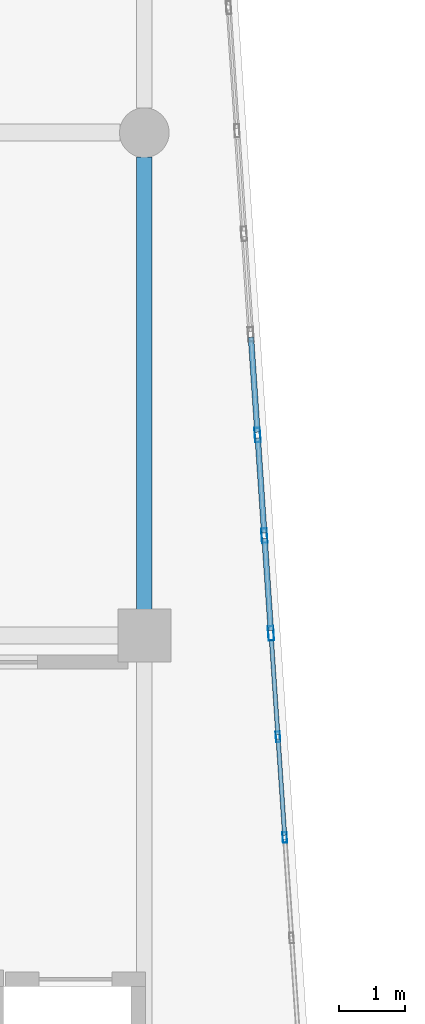
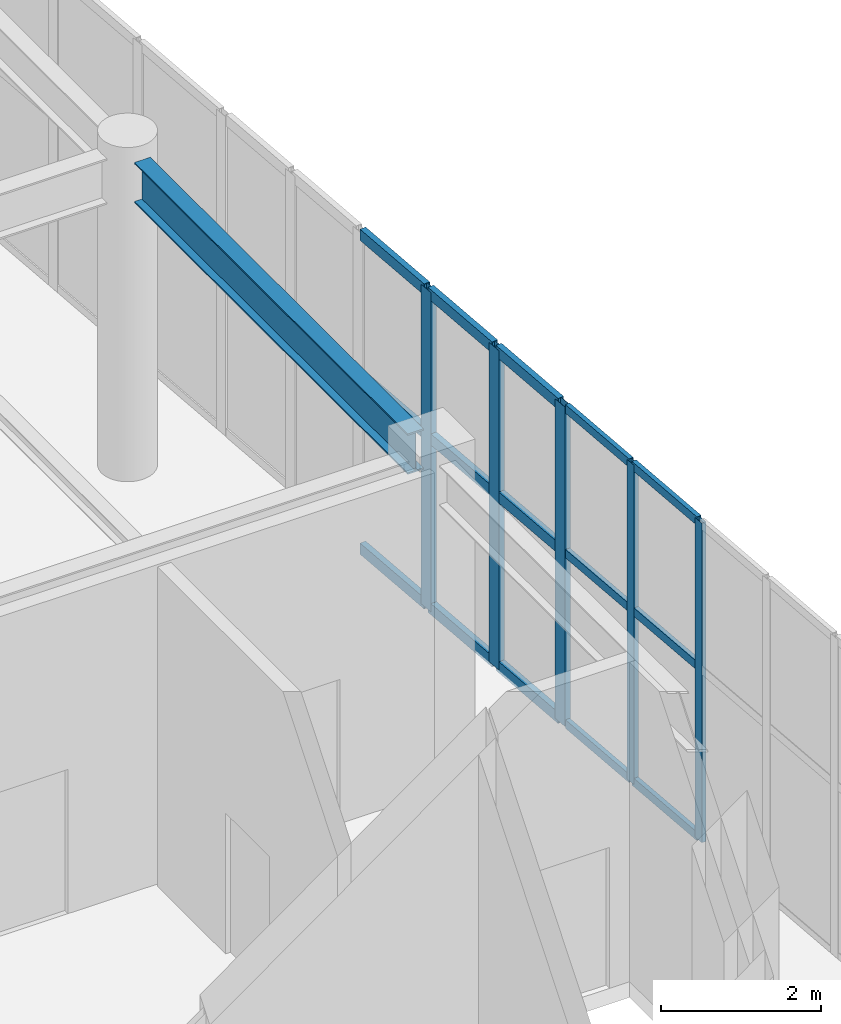
# One storey, part 25 of 128: 20 members, 1 beam, 2 elements without a shape of their own.
"""IFC4 building model written with IfcOpenShell, lengths in metres."""

from ifc_helpers import new_model, si_unit, direction, frame, origin, origin_2d, place, context, subcontext, project, spatial, hollow_rectangle, i_section, extrude, material, layer, layer_set, material_profile, profile_set, type_object, element, aggregate, save


model = new_model("IFC4")

# Units and contexts
model_context = context("Model", 3, precision=1e-05, world=origin(), true_north=direction((0.0, 1.0)))
body_context = subcontext(model_context, "Body", "Model", "MODEL_VIEW")
ifc_project = project(units=[si_unit("LENGTHUNIT", "METRE"), si_unit("AREAUNIT", "SQUARE_METRE"), si_unit("VOLUMEUNIT", "CUBIC_METRE"), si_unit("PLANEANGLEUNIT", "RADIAN"), si_unit("MASSUNIT", "GRAM", prefix="KILO")], contexts=[model_context])

# Site, building, storey
site_placement = place(None, origin())
site = spatial("IfcSite", under=ifc_project, at=site_placement, CompositionType="ELEMENT")
building_placement = place(site_placement, origin())
building = spatial("IfcBuilding", under=site, at=building_placement, Name="Xicomal Pleat Aquarium", CompositionType="ELEMENT")
storey_placement = place(building_placement, frame((0.0, 0.0, 5.39990234375)))
storey = spatial("IfcBuildingStorey", under=building, at=storey_placement, Name="L02", CompositionType="ELEMENT", Elevation=5.39990234375)

# Beam
ifc_material_1 = material(Name="Structural steel A992 Gr 50", Category="steel")
ifc_material_profile_1 = material_profile(ifc_material_1, i_section(OverallWidth=0.22998046875, OverallDepth=0.616943359375, WebThickness=0.01318359375, FlangeThickness=0.022216796875, at=origin_2d()), Name="IR 610x140")
ifc_profile_set_1 = profile_set([ifc_material_profile_1], Name="Structural steel A992 Gr 50")
beam_type = type_object("IfcBeamType", Name="BM-STL-IR610", PredefinedType="BEAM", material=ifc_profile_set_1)
beam_placement = place(storey_placement, frame((27.0, 61.195068359375, 4.566650390625), z_axis=(0.0, 1.0, 0.0), x_axis=(-1.0, 0.0, 0.0)))
element("IfcBeam", 1, at=beam_placement, inside=storey, type_object=beam_type, Name="L02 framing beam FGY-L02-04-J-K", PredefinedType="BEAM", context=body_context, shape_type="SweptSolid", body=[
    extrude(i_section(OverallWidth=0.22998046875, OverallDepth=0.616943359375, WebThickness=0.01318359375, FlangeThickness=0.022216796875, at=origin_2d()), origin(), (0.0, 0.0, 1.0), 6.8349609375),
])

# Curtain wall, members
ifc_material_2 = material(Name="Bronze anodized aluminium 6063-T6", Category="aluminium")
ifc_layer_1 = layer(ifc_material_2, 0.159912109375)
ifc_layer_set_1 = layer_set([ifc_layer_1], Name="Bronze anodized aluminium 6063-T6")
curtain_wall_type_1 = type_object("IfcCurtainWallType", Name="CW-SYS-02", PredefinedType="NOTDEFINED", material=ifc_layer_set_1)
curtain_wall_1_placement = place(storey_placement, origin())
curtain_wall_1 = element("IfcCurtainWall", 2, at=curtain_wall_1_placement, inside=storey, type_object=curtain_wall_type_1, Name="L02 unitised curtain wall CW-L02-135", PredefinedType="NOTDEFINED")
ifc_material_3 = material(Name="Bronze anodized aluminium 6063-T6", Category="aluminium")
ifc_material_profile_2 = material_profile(ifc_material_3, hollow_rectangle(XDim=0.06494140625, YDim=0.159912109375, WallThickness=0.00390625, at=origin_2d()), Name="ALU MULL 65x160")
ifc_profile_set_2 = profile_set([ifc_material_profile_2], Name="Bronze anodized aluminium 6063-T6")
member_type_1 = type_object("IfcMemberType", Name="CWM-65x160", PredefinedType="MULLION", material=ifc_profile_set_2)
member_1_placement = place(storey_placement, frame((29.019775390625, 59.27099609375, 0.0), z_axis=(0.0, 0.0, 1.0), x_axis=(0.997720800637, 0.067477433092, 0.0)))
member_1 = element("IfcMember", 3, at=member_1_placement, type_object=member_type_1, Name="CW-02 mullion 2", PredefinedType="MULLION", context=body_context, shape_type="SweptSolid", body=[
    extrude(hollow_rectangle(XDim=0.06494140625, YDim=0.159912109375, WallThickness=0.00390625, at=origin_2d()), origin(), (0.0, 0.0, 1.0), 4.875),
])
member_2_placement = place(storey_placement, frame((29.12255859375, 57.7509765625, 0.0), z_axis=(0.0, 0.0, 1.0), x_axis=(0.997720800637, 0.067477433092, 0.0)))
member_2 = element("IfcMember", 4, at=member_2_placement, type_object=member_type_1, Name="CW-02 mullion 3", PredefinedType="MULLION", context=body_context, shape_type="SweptSolid", body=[
    extrude(hollow_rectangle(XDim=0.06494140625, YDim=0.159912109375, WallThickness=0.00390625, at=origin_2d()), origin(), (0.0, 0.0, 1.0), 4.875),
])

ifc_material_4 = material(Name="Bronze anodized aluminium 6063-T6", Category="aluminium")
ifc_layer_2 = layer(ifc_material_4, 0.159912109375)
ifc_layer_set_2 = layer_set([ifc_layer_2], Name="Bronze anodized aluminium 6063-T6")
curtain_wall_type_2 = type_object("IfcCurtainWallType", Name="CW-SYS-12", PredefinedType="NOTDEFINED", material=ifc_layer_set_2)
curtain_wall_2_placement = place(storey_placement, origin())
curtain_wall_2 = element("IfcCurtainWall", 5, at=curtain_wall_2_placement, inside=storey, type_object=curtain_wall_type_2, Name="L02 unitised curtain wall CW-L02-134", PredefinedType="NOTDEFINED")
ifc_material_5 = material(Name="Bronze anodized aluminium 6063-T6", Category="aluminium")
ifc_material_profile_3 = material_profile(ifc_material_5, hollow_rectangle(XDim=0.0849609375, YDim=0.219970703125, WallThickness=0.0048828125, at=origin_2d()), Name="ALU MULL 85x220")
ifc_profile_set_3 = profile_set([ifc_material_profile_3], Name="Bronze anodized aluminium 6063-T6")
member_type_2 = type_object("IfcMemberType", Name="CWM-85x220", PredefinedType="MULLION", material=ifc_profile_set_3)
member_3_placement = place(storey_placement, frame((28.71142578125, 63.8310546875, 0.0), z_axis=(0.0, 0.0, 1.0), x_axis=(0.997720800637, 0.067477433092, 0.0)))
member_3 = element("IfcMember", 6, at=member_3_placement, type_object=member_type_2, Name="CW-12 mullion 4", PredefinedType="MULLION", context=body_context, shape_type="SweptSolid", body=[
    extrude(hollow_rectangle(XDim=0.0849609375, YDim=0.219970703125, WallThickness=0.0048828125, at=origin_2d()), origin(), (0.0, 0.0, 1.0), 4.875),
])
member_4_placement = place(storey_placement, frame((28.814208984375, 62.31103515625, 0.0), z_axis=(0.0, 0.0, 1.0), x_axis=(0.997720800637, 0.067477433092, 0.0)))
member_4 = element("IfcMember", 7, at=member_4_placement, type_object=member_type_2, Name="CW-12 mullion 5", PredefinedType="MULLION", context=body_context, shape_type="SweptSolid", body=[
    extrude(hollow_rectangle(XDim=0.0849609375, YDim=0.219970703125, WallThickness=0.0048828125, at=origin_2d()), origin(), (0.0, 0.0, 1.0), 4.875),
])
member_5_placement = place(storey_placement, frame((28.9140625, 60.83349609375, 0.0), z_axis=(0.0, 0.0, 1.0), x_axis=(0.997720800637, 0.067477433092, 0.0)))
member_5 = element("IfcMember", 8, at=member_5_placement, type_object=member_type_2, Name="CW-12 mullion 6", PredefinedType="MULLION", context=body_context, shape_type="SweptSolid", body=[
    extrude(hollow_rectangle(XDim=0.0849609375, YDim=0.219970703125, WallThickness=0.0048828125, at=origin_2d()), origin(), (0.0, 0.0, 1.0), 4.875),
])

# Member
ifc_material_6 = material(Name="Bronze anodized aluminium 6063-T6", Category="aluminium")
ifc_material_profile_4 = material_profile(ifc_material_6, hollow_rectangle(XDim=0.06494140625, YDim=0.1298828125, WallThickness=0.00390625, at=origin_2d()), Name="ALU TRAN 65x130")
ifc_profile_set_4 = profile_set([ifc_material_profile_4], Name="Bronze anodized aluminium 6063-T6")
member_type_3 = type_object("IfcMemberType", Name="CWT-65x130", PredefinedType="USERDEFINED", material=ifc_profile_set_4)
member_6_placement = place(storey_placement, frame((28.92138671875, 60.72607421875, 0.03271484375), z_axis=(0.067462227661, -0.997721828888, 0.0), x_axis=(0.997721828888, 0.067462227661, 0.0)))
member_6 = element("IfcMember", 9, at=member_6_placement, type_object=member_type_3, Name="CW-02 transom 1.1", ObjectType="TRANSOM", PredefinedType="USERDEFINED", context=body_context, shape_type="SweptSolid", body=[
    extrude(hollow_rectangle(XDim=0.06494140625, YDim=0.1298828125, WallThickness=0.00390625, at=origin_2d()), origin(), (0.0, 0.0, 1.0), 1.42578125),
])

member_7_placement = place(storey_placement, frame((28.92138671875, 60.72607421875, 2.633056640625), z_axis=(0.067462227661, -0.997721828888, 0.0), x_axis=(0.997721828888, 0.067462227661, 0.0)))
member_7 = element("IfcMember", 10, at=member_7_placement, type_object=member_type_3, Name="CW-02 transom 1.2", ObjectType="TRANSOM", PredefinedType="USERDEFINED", context=body_context, shape_type="SweptSolid", body=[
    extrude(hollow_rectangle(XDim=0.06494140625, YDim=0.1298828125, WallThickness=0.00390625, at=origin_2d()), origin(), (0.0, 0.0, 1.0), 1.42578125),
])

member_8_placement = place(storey_placement, frame((28.92138671875, 60.72607421875, 4.842529296875), z_axis=(0.067462227661, -0.997721828888, 0.0), x_axis=(0.997721828888, 0.067462227661, 0.0)))
member_8 = element("IfcMember", 11, at=member_8_placement, type_object=member_type_3, Name="CW-02 transom 1.3", ObjectType="TRANSOM", PredefinedType="USERDEFINED", context=body_context, shape_type="SweptSolid", body=[
    extrude(hollow_rectangle(XDim=0.06494140625, YDim=0.1298828125, WallThickness=0.00390625, at=origin_2d()), origin(), (0.0, 0.0, 1.0), 1.42578125),
])

member_9_placement = place(storey_placement, frame((29.02197265625, 59.238525390625, 0.03271484375), z_axis=(0.067463400183, -0.997721749605, 0.0), x_axis=(0.997721749605, 0.067463400183, 0.0)))
member_9 = element("IfcMember", 12, at=member_9_placement, type_object=member_type_3, Name="CW-02 transom 2.1", ObjectType="TRANSOM", PredefinedType="USERDEFINED", context=body_context, shape_type="SweptSolid", body=[
    extrude(hollow_rectangle(XDim=0.06494140625, YDim=0.1298828125, WallThickness=0.00390625, at=origin_2d()), origin(), (0.0, 0.0, 1.0), 1.45849609375),
])

member_10_placement = place(storey_placement, frame((29.02197265625, 59.238525390625, 2.633056640625), z_axis=(0.067463400183, -0.997721749605, 0.0), x_axis=(0.997721749605, 0.067463400183, 0.0)))
member_10 = element("IfcMember", 13, at=member_10_placement, type_object=member_type_3, Name="CW-02 transom 2.2", ObjectType="TRANSOM", PredefinedType="USERDEFINED", context=body_context, shape_type="SweptSolid", body=[
    extrude(hollow_rectangle(XDim=0.06494140625, YDim=0.1298828125, WallThickness=0.00390625, at=origin_2d()), origin(), (0.0, 0.0, 1.0), 1.45849609375),
])

member_11_placement = place(storey_placement, frame((29.02197265625, 59.238525390625, 4.842529296875), z_axis=(0.067463400183, -0.997721749605, 0.0), x_axis=(0.997721749605, 0.067463400183, 0.0)))
member_11 = element("IfcMember", 14, at=member_11_placement, type_object=member_type_3, Name="CW-02 transom 2.3", ObjectType="TRANSOM", PredefinedType="USERDEFINED", context=body_context, shape_type="SweptSolid", body=[
    extrude(hollow_rectangle(XDim=0.06494140625, YDim=0.1298828125, WallThickness=0.00390625, at=origin_2d()), origin(), (0.0, 0.0, 1.0), 1.45849609375),
])

aggregate(curtain_wall_1, [member_1, member_2, member_6, member_7, member_8, member_9, member_10, member_11])

ifc_material_7 = material(Name="Bronze anodized aluminium 6063-T6", Category="aluminium")
ifc_material_profile_5 = material_profile(ifc_material_7, hollow_rectangle(XDim=0.0849609375, YDim=0.169921875, WallThickness=0.0048828125, at=origin_2d()), Name="ALU TRAN 85x170")
ifc_profile_set_5 = profile_set([ifc_material_profile_5], Name="Bronze anodized aluminium 6063-T6")
member_type_4 = type_object("IfcMemberType", Name="CWT-85x170", PredefinedType="USERDEFINED", material=ifc_profile_set_5)
member_12_placement = place(storey_placement, frame((28.611572265625, 65.30859375, 0.04248046875), z_axis=(0.06737504759, -0.997727719853, 0.0), x_axis=(0.997727719853, 0.06737504759, 0.0)))
member_12 = element("IfcMember", 15, at=member_12_placement, type_object=member_type_4, Name="CW-12 transom 3.1", ObjectType="TRANSOM", PredefinedType="USERDEFINED", context=body_context, shape_type="SweptSolid", body=[
    extrude(hollow_rectangle(XDim=0.0849609375, YDim=0.169921875, WallThickness=0.0048828125, at=origin_2d()), origin(), (0.0, 0.0, 1.0), 1.4384765625),
])

member_13_placement = place(storey_placement, frame((28.611572265625, 65.30859375, 2.633056640625), z_axis=(0.06737504759, -0.997727719853, 0.0), x_axis=(0.997727719853, 0.06737504759, 0.0)))
member_13 = element("IfcMember", 16, at=member_13_placement, type_object=member_type_4, Name="CW-12 transom 3.2", ObjectType="TRANSOM", PredefinedType="USERDEFINED", context=body_context, shape_type="SweptSolid", body=[
    extrude(hollow_rectangle(XDim=0.0849609375, YDim=0.169921875, WallThickness=0.0048828125, at=origin_2d()), origin(), (0.0, 0.0, 1.0), 1.4384765625),
])

member_14_placement = place(storey_placement, frame((28.611572265625, 65.30859375, 4.83251953125), z_axis=(0.06737504759, -0.997727719853, 0.0), x_axis=(0.997727719853, 0.06737504759, 0.0)))
member_14 = element("IfcMember", 17, at=member_14_placement, type_object=member_type_4, Name="CW-12 transom 3.3", ObjectType="TRANSOM", PredefinedType="USERDEFINED", context=body_context, shape_type="SweptSolid", body=[
    extrude(hollow_rectangle(XDim=0.0849609375, YDim=0.169921875, WallThickness=0.0048828125, at=origin_2d()), origin(), (0.0, 0.0, 1.0), 1.4384765625),
])

member_15_placement = place(storey_placement, frame((28.71435546875, 63.78857421875, 0.04248046875), z_axis=(0.067386457785, -0.997726949274, 0.0), x_axis=(0.997726949274, 0.067386457785, 0.0)))
member_15 = element("IfcMember", 18, at=member_15_placement, type_object=member_type_4, Name="CW-12 transom 4.1", ObjectType="TRANSOM", PredefinedType="USERDEFINED", context=body_context, shape_type="SweptSolid", body=[
    extrude(hollow_rectangle(XDim=0.0849609375, YDim=0.169921875, WallThickness=0.0048828125, at=origin_2d()), origin(), (0.0, 0.0, 1.0), 1.438232421875),
])

member_16_placement = place(storey_placement, frame((28.71435546875, 63.78857421875, 2.633056640625), z_axis=(0.067386457785, -0.997726949274, 0.0), x_axis=(0.997726949274, 0.067386457785, 0.0)))
member_16 = element("IfcMember", 19, at=member_16_placement, type_object=member_type_4, Name="CW-12 transom 4.2", ObjectType="TRANSOM", PredefinedType="USERDEFINED", context=body_context, shape_type="SweptSolid", body=[
    extrude(hollow_rectangle(XDim=0.0849609375, YDim=0.169921875, WallThickness=0.0048828125, at=origin_2d()), origin(), (0.0, 0.0, 1.0), 1.438232421875),
])

member_17_placement = place(storey_placement, frame((28.71435546875, 63.78857421875, 4.83251953125), z_axis=(0.067386457785, -0.997726949274, 0.0), x_axis=(0.997726949274, 0.067386457785, 0.0)))
member_17 = element("IfcMember", 20, at=member_17_placement, type_object=member_type_4, Name="CW-12 transom 4.3", ObjectType="TRANSOM", PredefinedType="USERDEFINED", context=body_context, shape_type="SweptSolid", body=[
    extrude(hollow_rectangle(XDim=0.0849609375, YDim=0.169921875, WallThickness=0.0048828125, at=origin_2d()), origin(), (0.0, 0.0, 1.0), 1.438232421875),
])

member_18_placement = place(storey_placement, frame((28.817138671875, 62.2685546875, 0.04248046875), z_axis=(0.067505607952, -0.997718894727, 0.0), x_axis=(0.997718894727, 0.067505607952, 0.0)))
member_18 = element("IfcMember", 21, at=member_18_placement, type_object=member_type_4, Name="CW-12 transom 5.1", ObjectType="TRANSOM", PredefinedType="USERDEFINED", context=body_context, shape_type="SweptSolid", body=[
    extrude(hollow_rectangle(XDim=0.0849609375, YDim=0.169921875, WallThickness=0.0048828125, at=origin_2d()), origin(), (0.0, 0.0, 1.0), 1.39599609375),
])

member_19_placement = place(storey_placement, frame((28.817138671875, 62.2685546875, 2.633056640625), z_axis=(0.067505607952, -0.997718894727, 0.0), x_axis=(0.997718894727, 0.067505607952, 0.0)))
member_19 = element("IfcMember", 22, at=member_19_placement, type_object=member_type_4, Name="CW-12 transom 5.2", ObjectType="TRANSOM", PredefinedType="USERDEFINED", context=body_context, shape_type="SweptSolid", body=[
    extrude(hollow_rectangle(XDim=0.0849609375, YDim=0.169921875, WallThickness=0.0048828125, at=origin_2d()), origin(), (0.0, 0.0, 1.0), 1.39599609375),
])

member_20_placement = place(storey_placement, frame((28.817138671875, 62.2685546875, 4.83251953125), z_axis=(0.067505607952, -0.997718894727, 0.0), x_axis=(0.997718894727, 0.067505607952, 0.0)))
member_20 = element("IfcMember", 23, at=member_20_placement, type_object=member_type_4, Name="CW-12 transom 5.3", ObjectType="TRANSOM", PredefinedType="USERDEFINED", context=body_context, shape_type="SweptSolid", body=[
    extrude(hollow_rectangle(XDim=0.0849609375, YDim=0.169921875, WallThickness=0.0048828125, at=origin_2d()), origin(), (0.0, 0.0, 1.0), 1.39599609375),
])

aggregate(curtain_wall_2, [member_3, member_4, member_5, member_12, member_13, member_14, member_15, member_16, member_17, member_18, member_19, member_20])

save(model, "model.ifc")
